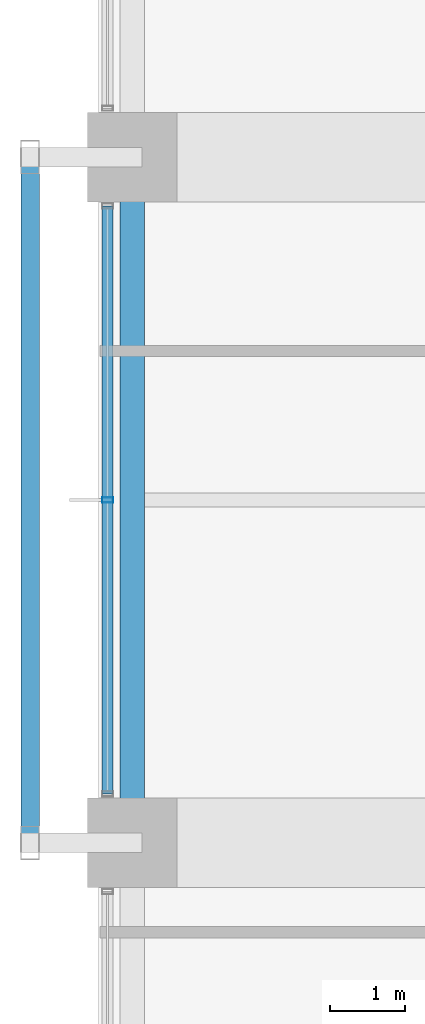
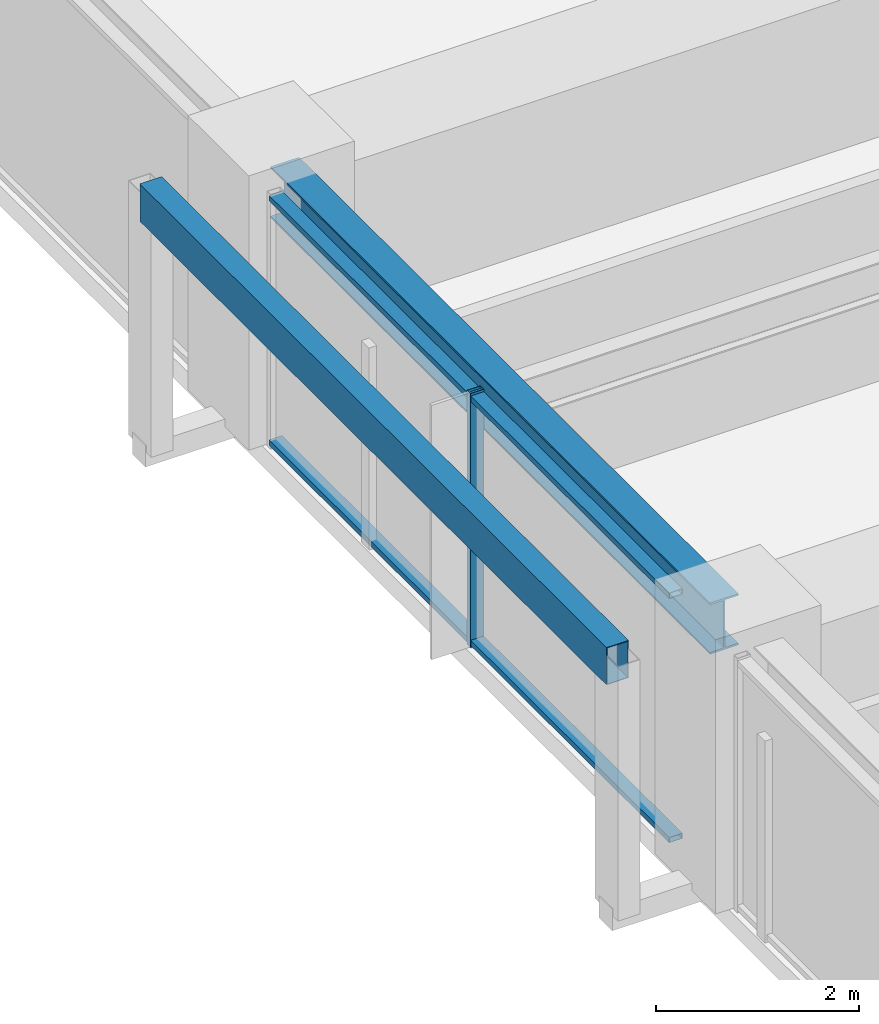
# One storey, part 8 of 37: 4 members, 1 beam, 1 element without a shape of its own.
"""IFC4 building model written with IfcOpenShell, lengths in metres."""

from ifc_helpers import new_model, si_unit, direction, frame, origin, origin_2d, place, context, subcontext, project, spatial, hollow_rectangle, i_section, extrude, material, material_profile, profile_set, type_object, element, aggregate, save


model = new_model("IFC4")

# Units and contexts
model_context = context("Model", 3, precision=1e-05, world=origin(), true_north=direction((0.0, 1.0)))
body_context = subcontext(model_context, "Body", "Model", "MODEL_VIEW")
ifc_project = project(units=[si_unit("LENGTHUNIT", "METRE"), si_unit("AREAUNIT", "SQUARE_METRE"), si_unit("VOLUMEUNIT", "CUBIC_METRE"), si_unit("PLANEANGLEUNIT", "RADIAN"), si_unit("MASSUNIT", "GRAM", prefix="KILO")], contexts=[model_context])

# Site, building, storey
site_placement = place(None, origin())
site = spatial("IfcSite", under=ifc_project, at=site_placement, CompositionType="ELEMENT")
building_placement = place(site_placement, origin())
building = spatial("IfcBuilding", under=site, at=building_placement, Name="Kolvaren Belvedere", CompositionType="ELEMENT")
storey_placement = place(building_placement, frame((0.0, 0.0, 56.800048828125)))
storey = spatial("IfcBuildingStorey", under=building, at=storey_placement, Name="L16", CompositionType="ELEMENT", Elevation=56.800048828125)

# Beam
ifc_material_1 = material(Name="Structural steel ASTM A992 Grade 50", Category="steel")
ifc_material_profile_1 = material_profile(ifc_material_1, i_section(OverallWidth=0.324951171875, OverallDepth=0.615966796875, WebThickness=0.013916015625, FlangeThickness=0.021484375, FilletRadius=0.02001953125, at=origin_2d()), Name="W24X117")
ifc_profile_set_1 = profile_set([ifc_material_profile_1], Name="Structural steel ASTM A992 Grade 50")
beam_type = type_object("IfcBeamType", Name="BM-SPAN-W24X117", PredefinedType="SPANDREL", material=ifc_profile_set_1)
beam_placement = place(storey_placement, frame((-21.550048828125, 4.330078125, 2.751953125), z_axis=(0.0, -1.0, 0.0), x_axis=(1.0, 0.0, 0.0)))
element("IfcBeam", 1, at=beam_placement, inside=storey, type_object=beam_type, Name="L16 Perimeter Spandrel W3-W2", PredefinedType="SPANDREL", context=body_context, shape_type="SweptSolid", body=[
    extrude(i_section(OverallWidth=0.324951171875, OverallDepth=0.615966796875, WebThickness=0.013916015625, FlangeThickness=0.021484375, FilletRadius=0.02001953125, at=origin_2d()), origin(), (0.0, 0.0, 1.0), 8.66015625),
])

# Curtain wall, members
ifc_material_2 = material(Name="Anodised pale-metal aluminium AA 6063-T6", Category="aluminium")
curtain_wall_type = type_object("IfcCurtainWallType", Name="CW-Z1-LOW", PredefinedType="NOTDEFINED", material=ifc_material_2)
curtain_wall_placement = place(storey_placement, origin())
curtain_wall = element("IfcCurtainWall", 2, at=curtain_wall_placement, inside=storey, type_object=curtain_wall_type, Name="L16 Unitised Curtain Wall FCW-L16-W-B2", PredefinedType="NOTDEFINED")
ifc_material_3 = material(Name="Anodised pale-metal aluminium AA 6063-T6", Category="aluminium")
ifc_material_profile_2 = material_profile(ifc_material_3, hollow_rectangle(XDim=0.070068359375, YDim=0.14990234375, WallThickness=0.004150390625, at=origin_2d()), Name="ALU-MUL-150X70")
ifc_profile_set_2 = profile_set([ifc_material_profile_2], Name="Anodised pale-metal aluminium AA 6063-T6")
member_type_1 = type_object("IfcMemberType", Name="CW-MUL-150", PredefinedType="MULLION", material=ifc_profile_set_2)
member_1_placement = place(storey_placement, frame((-21.8798828125, 0.0, 0.0), z_axis=(0.0, 0.0, 1.0), x_axis=(0.0, 1.0, 0.0)))
member_1 = element("IfcMember", 3, at=member_1_placement, type_object=member_type_1, Name="FCW-L16-W-B2 Unitised Mullion 2", PredefinedType="MULLION", context=body_context, shape_type="SweptSolid", body=[
    extrude(hollow_rectangle(XDim=0.070068359375, YDim=0.14990234375, WallThickness=0.004150390625, at=origin_2d()), origin(), (0.0, 0.0, 1.0), 3.06005859375),
])
ifc_material_4 = material(Name="Anodised pale-metal aluminium AA 6063-T6", Category="aluminium")
ifc_material_profile_3 = material_profile(ifc_material_4, hollow_rectangle(XDim=0.06494140625, YDim=0.14990234375, WallThickness=0.00390625, at=origin_2d()), Name="ALU-TRN-150X65")
ifc_profile_set_3 = profile_set([ifc_material_profile_3], Name="Anodised pale-metal aluminium AA 6063-T6")
member_type_2 = type_object("IfcMemberType", Name="CW-TRN-150", PredefinedType="USERDEFINED", material=ifc_profile_set_3)
member_2_placement = place(storey_placement, frame((-21.8798828125, -3.945068359375, 0.06005859375), z_axis=(0.0, 1.0, 0.0), x_axis=(0.0, 0.0, 1.0)))
member_2 = element("IfcMember", 4, at=member_2_placement, type_object=member_type_2, Name="FCW-L16-W-B2 Sill Transom", ObjectType="TRANSOM", PredefinedType="USERDEFINED", context=body_context, shape_type="SweptSolid", body=[
    extrude(hollow_rectangle(XDim=0.06494140625, YDim=0.14990234375, WallThickness=0.00390625, at=origin_2d()), origin(), (0.0, 0.0, 1.0), 7.89013671875),
])
member_3_placement = place(storey_placement, frame((-21.8798828125, -3.945068359375, 3.0), z_axis=(0.0, 1.0, 0.0), x_axis=(0.0, 0.0, 1.0)))
member_3 = element("IfcMember", 5, at=member_3_placement, type_object=member_type_2, Name="FCW-L16-W-B2 Head Transom", ObjectType="TRANSOM", PredefinedType="USERDEFINED", context=body_context, shape_type="SweptSolid", body=[
    extrude(hollow_rectangle(XDim=0.06494140625, YDim=0.14990234375, WallThickness=0.00390625, at=origin_2d()), origin(), (0.0, 0.0, 1.0), 7.89013671875),
])
aggregate(curtain_wall, [member_1, member_2, member_3])

# Member
ifc_material_5 = material(Name="Anodised pale-metal aluminium AA 6063-T6", Category="aluminium")
ifc_material_profile_4 = material_profile(ifc_material_5, hollow_rectangle(XDim=0.25, YDim=0.449951171875, WallThickness=0.008544921875, at=origin_2d()), Name="ALU-PF-450X250")
ifc_profile_set_4 = profile_set([ifc_material_profile_4], Name="Anodised pale-metal aluminium AA 6063-T6")
member_type_3 = type_object("IfcMemberType", Name="PF-FRAME-450", PredefinedType="USERDEFINED", material=ifc_profile_set_4)
member_4_placement = place(storey_placement, frame((-22.919921875, -4.60009765625, 2.929931640625), z_axis=(0.0, 1.0, 0.0), x_axis=(-1.0, 0.0, 0.0)))
element("IfcMember", 6, at=member_4_placement, inside=storey, type_object=member_type_3, Name="L16 Outboard Picture-Frame Head W", ObjectType="PICTURE FRAME FIN", PredefinedType="USERDEFINED", context=body_context, shape_type="SweptSolid", body=[
    extrude(hollow_rectangle(XDim=0.25, YDim=0.449951171875, WallThickness=0.008544921875, at=origin_2d()), origin(), (0.0, 0.0, 1.0), 9.2001953125),
])

save(model, "model.ifc")
